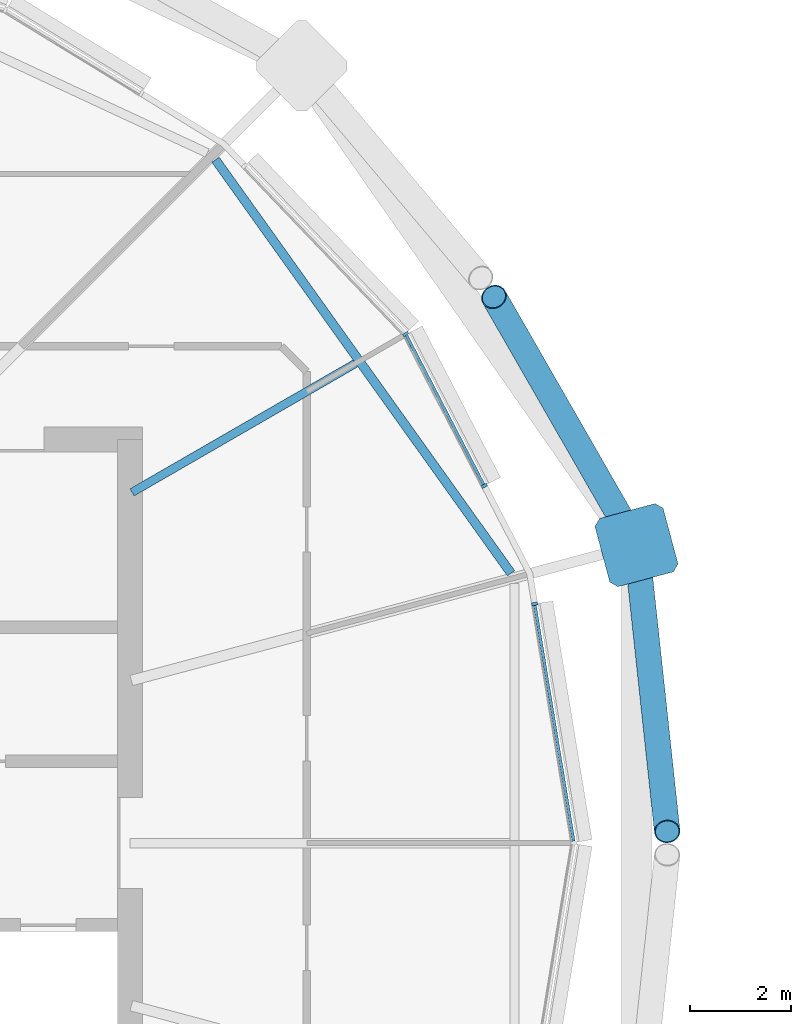
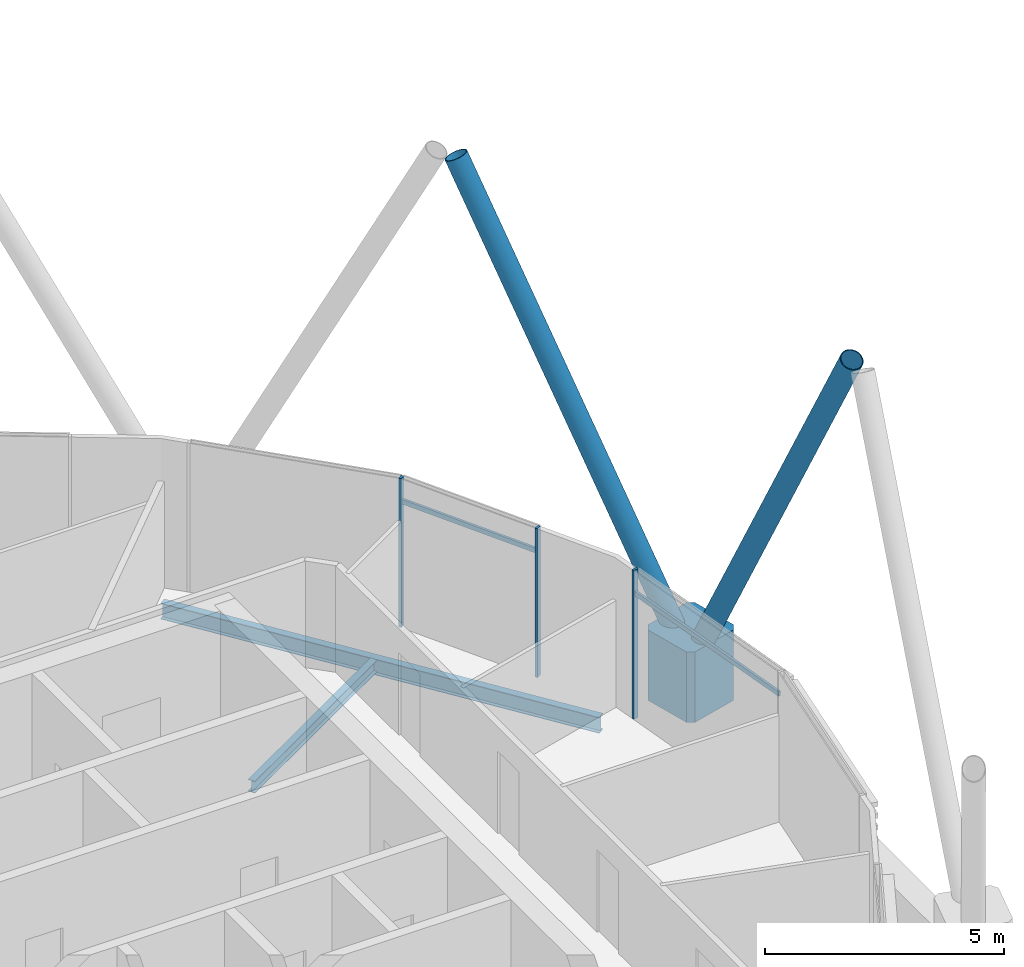
# One storey, part 7 of 34: 8 members, 2 beams, 1 element without a shape of its own.
"""IFC4 building model written with IfcOpenShell, lengths in metres."""

from ifc_helpers import new_model, si_unit, direction, frame, origin, origin_2d, place, context, subcontext, project, spatial, polyline, rectangle, hollow_circle, i_section, outline, extrude, material, material_profile, profile_set, type_object, element, aggregate, save


model = new_model("IFC4")

# Units and contexts
model_context = context("Model", 3, precision=1e-05, world=origin(), true_north=direction((0.0, 1.0)))
body_context = subcontext(model_context, "Body", "Model", "MODEL_VIEW")
ifc_project = project(units=[si_unit("LENGTHUNIT", "METRE"), si_unit("AREAUNIT", "SQUARE_METRE"), si_unit("VOLUMEUNIT", "CUBIC_METRE"), si_unit("PLANEANGLEUNIT", "RADIAN"), si_unit("MASSUNIT", "GRAM", prefix="KILO")], contexts=[model_context])

# Site, building, storey
site_placement = place(None, origin())
site = spatial("IfcSite", under=ifc_project, at=site_placement, CompositionType="ELEMENT")
building_placement = place(site_placement, origin())
building = spatial("IfcBuilding", under=site, at=building_placement, Name="Rimbun Link Towers", CompositionType="ELEMENT")
storey_placement = place(building_placement, frame((0.0, 0.0, 221.89990234375)))
storey = spatial("IfcBuildingStorey", under=building, at=storey_placement, Name="L54", CompositionType="ELEMENT", Elevation=221.89990234375)

# Curtain wall, members
ifc_material_1 = material(Name="Aluminium 6063-T6 and low-iron glass", Category="aluminium")
curtain_wall_type = type_object("IfcCurtainWallType", Name="CW1-Z4 unitised vision wall (zone 4)", PredefinedType="NOTDEFINED", material=ifc_material_1)
curtain_wall_placement = place(storey_placement, origin())
curtain_wall = element("IfcCurtainWall", 1, at=curtain_wall_placement, inside=storey, type_object=curtain_wall_type, Name="CW1 L54 T1", PredefinedType="NOTDEFINED")
ifc_material_2 = material(Name="Aluminium 6063-T6", Category="aluminium")
ifc_material_profile_1 = material_profile(ifc_material_2, rectangle(XDim=0.1201171875, YDim=0.06005859375, at=origin_2d()), Name="MULLION 60X120")
ifc_profile_set_1 = profile_set([ifc_material_profile_1], Name="Aluminium 6063-T6")
member_type_1 = type_object("IfcMemberType", Name="CW1 mullion 60X120", PredefinedType="MULLION", material=ifc_profile_set_1)
member_1_placement = place(storey_placement, frame((-11.72607421875, 4.740966796875, 0.0), z_axis=(0.0, 0.0, 1.0), x_axis=(0.986747306612, 0.162264453577, 0.0)))
member_1 = element("IfcMember", 2, at=member_1_placement, type_object=member_type_1, Name="CW1 mullion", PredefinedType="MULLION", context=body_context, shape_type="SweptSolid", body=[
    extrude(rectangle(XDim=0.1201171875, YDim=0.06005859375, at=origin_2d()), origin(), (0.0, 0.0, 1.0), 3.800048828125),
])
member_2_placement = place(storey_placement, frame((-14.282958984375, 10.09130859375, 0.0), z_axis=(0.0, 0.0, 1.0), x_axis=(0.813353544339, 0.581769724128, 0.0)))
member_2 = element("IfcMember", 3, at=member_2_placement, type_object=member_type_1, Name="CW1 mullion", PredefinedType="MULLION", context=body_context, shape_type="SweptSolid", body=[
    extrude(rectangle(XDim=0.1201171875, YDim=0.06005859375, at=origin_2d()), origin(), (0.0, 0.0, 1.0), 3.800048828125),
])
member_3_placement = place(storey_placement, frame((-12.7255859375, 7.082763671875, 0.0), z_axis=(0.0, 0.0, 1.0), x_axis=(0.888152943593, 0.459547983117, 0.0)))
member_3 = element("IfcMember", 4, at=member_3_placement, type_object=member_type_1, Name="CW1 mullion", PredefinedType="MULLION", context=body_context, shape_type="SweptSolid", body=[
    extrude(rectangle(XDim=0.1201171875, YDim=0.06005859375, at=origin_2d()), origin(), (0.0, 0.0, 1.0), 3.800048828125),
])
ifc_material_3 = material(Name="Aluminium 6063-T6", Category="aluminium")
ifc_material_profile_2 = material_profile(ifc_material_3, rectangle(XDim=0.06005859375, YDim=0.1201171875, at=origin_2d()), Name="TRANSOM 60X120")
ifc_profile_set_2 = profile_set([ifc_material_profile_2], Name="Aluminium 6063-T6")
member_type_2 = type_object("IfcMemberType", Name="CW1 transom 60X120", PredefinedType="USERDEFINED", material=ifc_profile_set_2)
member_4_placement = place(storey_placement, frame((-11.72314453125, 4.711181640625, 3.2001953125), z_axis=(0.16226643408, -0.986746980928, 0.0), x_axis=(0.986746980928, 0.16226643408, 0.0)))
member_4 = element("IfcMember", 5, at=member_4_placement, type_object=member_type_2, Name="CW1 transom", ObjectType="TRANSOM", PredefinedType="USERDEFINED", context=body_context, shape_type="SweptSolid", body=[
    extrude(rectangle(XDim=0.06005859375, YDim=0.1201171875, at=origin_2d()), origin(), (0.0, 0.0, 1.0), 4.73486328125),
])
member_5_placement = place(storey_placement, frame((-14.266357421875, 10.056396484375, 3.2001953125), z_axis=(0.45952897717, -0.88816277739, 0.0), x_axis=(0.88816277739, 0.45952897717, 0.0)))
member_5 = element("IfcMember", 6, at=member_5_placement, type_object=member_type_2, Name="CW1 transom", ObjectType="TRANSOM", PredefinedType="USERDEFINED", context=body_context, shape_type="SweptSolid", body=[
    extrude(rectangle(XDim=0.06005859375, YDim=0.1201171875, at=origin_2d()), origin(), (0.0, 0.0, 1.0), 3.31884765625),
])
aggregate(curtain_wall, [member_1, member_2, member_3, member_4, member_5])

# Members
ifc_material_4 = material(Name="Steel S355J2H", Category="steel")
ifc_material_profile_3 = material_profile(ifc_material_4, hollow_circle(Radius=0.25390625, WallThickness=0.02001953125, at=origin_2d()), Name="Diagrid diagonal CHS 508x20")
ifc_profile_set_3 = profile_set([ifc_material_profile_3], Name="Steel S355J2H")
member_type_3 = type_object("IfcMemberType", Name="Diagrid diagonal CHS 508x20", PredefinedType="BRACE", material=ifc_profile_set_3)
member_6_placement = place(storey_placement, frame((-9.6845703125, 5.676025390625, 0.443603515625), z_axis=(0.049344684371, -0.459424548809, 0.88684507445), x_axis=(0.994281467527, 0.106791213744, 0.0)))
element("IfcMember", 7, at=member_6_placement, inside=storey, type_object=member_type_3, Name="Diagrid diagonal T1 L54-L57 01a", PredefinedType="BRACE", context=body_context, shape_type="SweptSolid", body=[
    extrude(hollow_circle(Radius=0.25390625, WallThickness=0.02001953125, at=origin_2d()), origin(), (0.0, 0.0, 1.0), 11.8544921875),
])
member_7_placement = place(storey_placement, frame((-9.82373046875, 6.105224609375, 0.444091796875), z_axis=(-0.229027300633, 0.398931490252, 0.887919006244), x_axis=(-0.867242701375, -0.497885626336, 0.0)))
element("IfcMember", 8, at=member_7_placement, inside=storey, type_object=member_type_3, Name="Diagrid diagonal T1 L54-L57 01b", PredefinedType="BRACE", context=body_context, shape_type="SweptSolid", body=[
    extrude(hollow_circle(Radius=0.25390625, WallThickness=0.02001953125, at=origin_2d()), origin(), (0.0, 0.0, 1.0), 11.8388671875),
])
ifc_material_5 = material(Name="Cast steel G20Mn5+QT, Rp0.2 300 MPa", Category="steel")
ifc_material_profile_4 = material_profile(ifc_material_5, outline(polyline([(0.699951171875, -0.570068359375), (0.699951171875, 0.570068359375), (0.570068359375, 0.699951171875), (-0.570068359375, 0.699951171875), (-0.699951171875, 0.570068359375), (-0.699951171875, -0.570068359375), (-0.570068359375, -0.699951171875), (0.570068359375, -0.699951171875), (0.699951171875, -0.570068359375)])), Name="NODE 1400x1400")
ifc_profile_set_4 = profile_set([ifc_material_profile_4], Name="Cast steel G20Mn5+QT, Rp0.2 300 MPa")
member_type_4 = type_object("IfcMemberType", Name="Diagrid node cast 1400", PredefinedType="USERDEFINED", material=ifc_profile_set_4)
member_8_placement = place(storey_placement, frame((-9.709228515625, 5.90576171875, -0.89990234375), z_axis=(0.0, 0.0, 1.0), x_axis=(0.965925826289, 0.258819045103, 0.0)))
element("IfcMember", 9, at=member_8_placement, inside=storey, type_object=member_type_4, Name="Diagrid node L54 01", ObjectType="Diagrid node", PredefinedType="USERDEFINED", context=body_context, shape_type="SweptSolid", body=[
    extrude(outline(polyline([(0.699951171875, -0.570068359375), (0.699951171875, 0.570068359375), (0.570068359375, 0.699951171875), (-0.570068359375, 0.699951171875), (-0.699951171875, 0.570068359375), (-0.699951171875, -0.570068359375), (-0.570068359375, -0.699951171875), (0.570068359375, -0.699951171875), (0.699951171875, -0.570068359375)])), origin(), (0.0, 0.0, 1.0), 1.800048828125),
])

# Beams
ifc_material_6 = material(Name="Steel S355J2", Category="steel")
ifc_material_profile_5 = material_profile(ifc_material_6, i_section(OverallWidth=0.1650390625, OverallDepth=0.303466796875, WebThickness=0.006103515625, FlangeThickness=0.01025390625, at=origin_2d()), Name="UB 305x165x40")
ifc_profile_set_5 = profile_set([ifc_material_profile_5], Name="Steel S355J2")
beam_type_1 = type_object("IfcBeamType", Name="UB 305x165x40", PredefinedType="BEAM", material=ifc_profile_set_5)
beam_1_placement = place(storey_placement, frame((-19.7080078125, 6.952392578125, -0.29150390625), z_axis=(0.866016235635, 0.500015879365, 0.0), x_axis=(-0.500015879365, 0.866016235635, 0.0)))
element("IfcBeam", 10, at=beam_1_placement, inside=storey, type_object=beam_type_1, Name="Radial beam T1 L54 02", PredefinedType="BEAM", context=body_context, shape_type="SweptSolid", body=[
    extrude(i_section(OverallWidth=0.1650390625, OverallDepth=0.303466796875, WebThickness=0.006103515625, FlangeThickness=0.01025390625, at=origin_2d()), origin(), (0.0, 0.0, 1.0), 5.113525390625),
])
ifc_material_7 = material(Name="Steel S355J2", Category="steel")
ifc_material_profile_6 = material_profile(ifc_material_7, i_section(OverallWidth=0.177978515625, OverallDepth=0.406494140625, WebThickness=0.0078125, FlangeThickness=0.0126953125, at=origin_2d()), Name="UB 406x178x60")
ifc_profile_set_6 = profile_set([ifc_material_profile_6], Name="Steel S355J2")
beam_type_2 = type_object("IfcBeamType", Name="UB 406x178x60", PredefinedType="BEAM", material=ifc_profile_set_6)
beam_2_placement = place(storey_placement, frame((-12.195556640625, 5.348876953125, -0.343017578125), z_axis=(-0.581481126682, 0.813559892886, 0.0), x_axis=(-0.813559892886, -0.581481126682, 0.0)))
element("IfcBeam", 11, at=beam_2_placement, inside=storey, type_object=beam_type_2, Name="Edge beam T1 L54 01-03", PredefinedType="BEAM", context=body_context, shape_type="SweptSolid", body=[
    extrude(i_section(OverallWidth=0.177978515625, OverallDepth=0.406494140625, WebThickness=0.0078125, FlangeThickness=0.0126953125, at=origin_2d()), origin(), (0.0, 0.0, 1.0), 10.07568359375),
])

save(model, "model.ifc")
